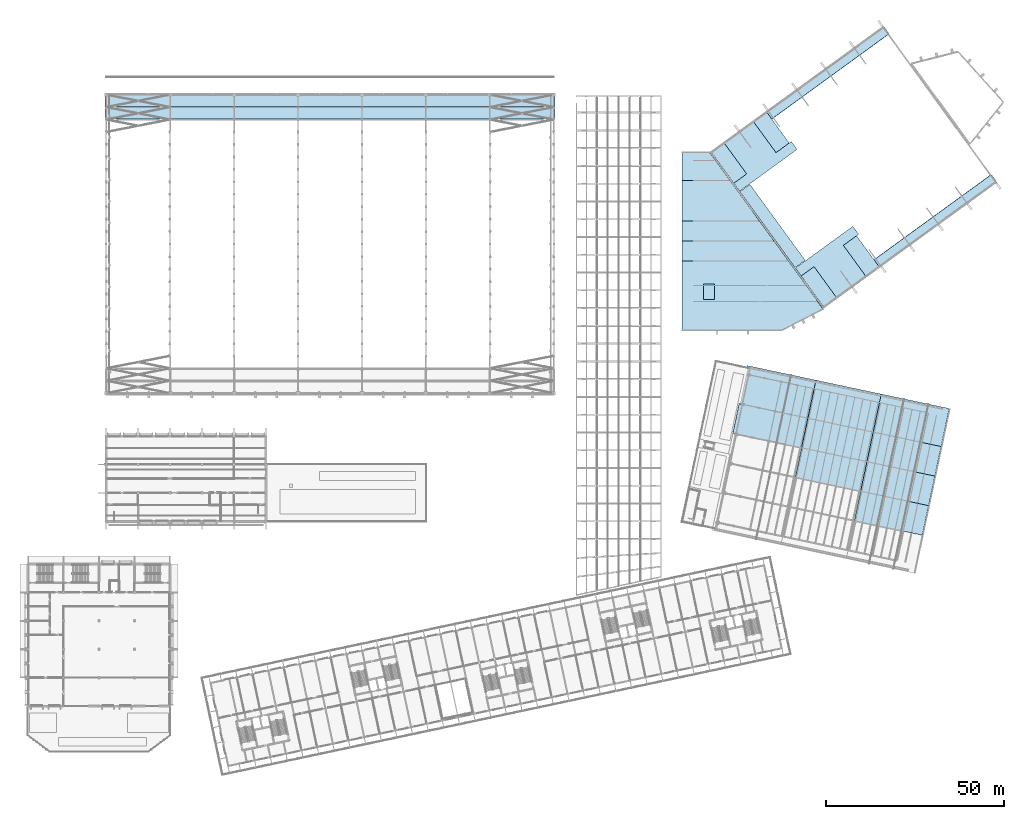
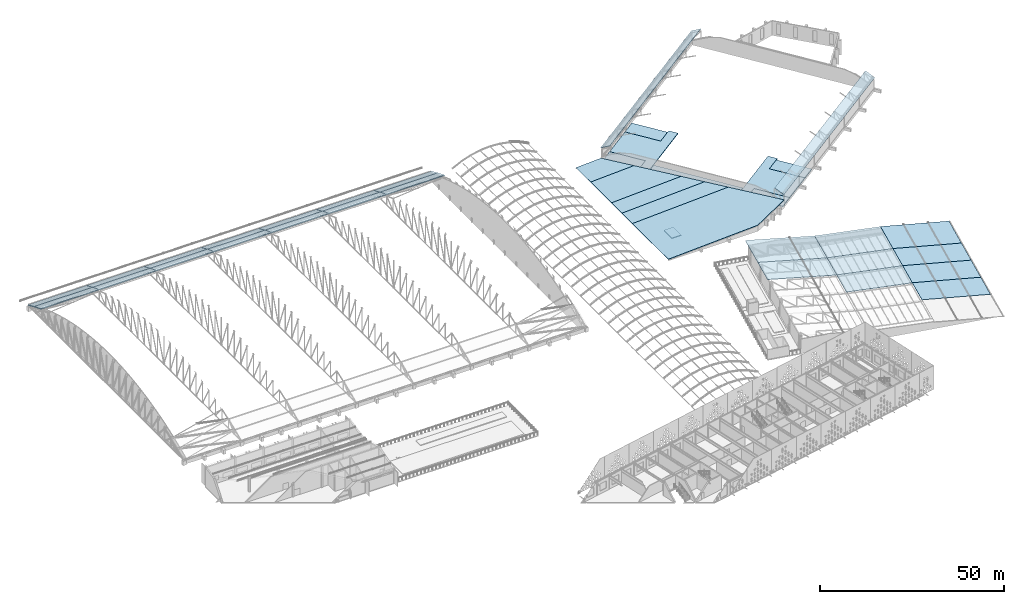
# One storey, part 112 of 196: 38 slabs.
"""IFC4 building model written with IfcOpenShell, lengths in metres."""

from ifc_helpers import new_model, si_unit, direction, frame, origin, place, context, subcontext, project, spatial, polyline, outline, extrude, material, layer, layer_set, type_object, element, save


model = new_model("IFC4")

# Units and contexts
model_context = context("Model", 3, precision=1e-05, world=origin(), true_north=direction((0.0, 1.0)))
body_context = subcontext(model_context, "Body", "Model", "MODEL_VIEW")
ifc_project = project(units=[si_unit("LENGTHUNIT", "METRE"), si_unit("AREAUNIT", "SQUARE_METRE"), si_unit("VOLUMEUNIT", "CUBIC_METRE"), si_unit("PLANEANGLEUNIT", "RADIAN"), si_unit("MASSUNIT", "GRAM", prefix="KILO")], contexts=[model_context])

# Site, building, storey
site_placement = place(None, origin())
site = spatial("IfcSite", under=ifc_project, at=site_placement, CompositionType="ELEMENT")
building_placement = place(site_placement, origin())
building = spatial("IfcBuilding", under=site, at=building_placement, Name="Okhra Congress Centre", CompositionType="ELEMENT")
storey_placement = place(building_placement, frame((0.0, 0.0, 12.0)))
storey = spatial("IfcBuildingStorey", under=building, at=storey_placement, Name="L02", CompositionType="ELEMENT", Elevation=12.0)

# Slabs
ifc_material_1 = material(Name="Insulated metal roof panel (mineral wool core), standing seam")
ifc_layer_1 = layer(ifc_material_1, 0.14990234375)
ifc_layer_set_1 = layer_set([ifc_layer_1], Name="Insulated roof panel 150")
slab_type_1 = type_object("IfcSlabType", Name="Insulated roof panel 150", PredefinedType="ROOF", material=ifc_layer_set_1)
slab_1_placement = place(storey_placement, frame((229.705322265625, 155.7431640625, 4.305419921875), z_axis=(0.278929088771, -0.383913800614, 0.880232217733), x_axis=(0.80901889151, 0.5877826411, -1.17529e-06)))
element("IfcSlab", 1, at=slab_1_placement, inside=storey, type_object=slab_type_1, Name="Roof panel 1", PredefinedType="ROOF", context=body_context, shape_type="SweptSolid", body=[
    extrude(outline(polyline([(0.0, 0.0), (60.60005430469059, -3.552713678800501e-15), (60.60003694373192, 3.131759608225437), (3.665179778162735e-05, 3.131459434986332), (0.0, 0.0)])), origin(), (0.0, 0.0, -1.0), 0.14990234375),
])
slab_2_placement = place(storey_placement, frame((199.31005859375, 197.578857421875, 5.79150390625), z_axis=(-0.278923918034, 0.383905727805, 0.880237377136), x_axis=(0.809017656357, 0.587784341151, 6.80711e-07)))
element("IfcSlab", 2, at=slab_2_placement, inside=storey, type_object=slab_type_1, Name="Roof panel 18", PredefinedType="ROOF", context=body_context, shape_type="SweptSolid", body=[
    extrude(outline(polyline([(0.0, 0.0), (60.59985679042765, 0.0), (60.59984595734329, 3.1317596089494506), (-0.00015433512078291415, 3.1315857496306627), (0.0, 0.0)])), origin(), (0.0, 0.0, -1.0), 0.14990234375),
])
slab_3_placement = place(storey_placement, frame((218.0, 149.72998046875, 1.91748046875), z_axis=(-0.052337920105, 2.981966e-06, 0.998629431827), x_axis=(0.888545201708, 0.456419688998, 0.046567070093)))
element("IfcSlab", 3, at=slab_3_placement, inside=storey, type_object=slab_type_1, Name="Foyer roof panel 1", PredefinedType="ROOF", context=body_context, shape_type="SweptSolid", body=[
    extrude(outline(polyline([(0.0, 0.0), (13.275242452035966, -1.3704315460216776e-16), (10.711081117052416, 16.410229964456086), (-16.051988906117842, 30.138795824171297), (-24.947604187455937, 12.797292195619383), (0.0, 0.0)])), origin(), (0.0, 0.0, -1.0), 0.14990234375),
])
slab_4_placement = place(storey_placement, frame((215.91796875, 174.889892578125, 1.808349609375), z_axis=(-0.052337917817, -7.78521e-06, 0.998629431921), x_axis=(-0.998629431951, -1.3e-11, -0.052337917819)))
element("IfcSlab", 4, at=slab_4_placement, inside=storey, type_object=slab_type_1, Name="Foyer roof panel 2", PredefinedType="ROOF", context=body_context, shape_type="SweptSolid", body=[
    extrude(outline(polyline([(0.0, 0.0), (25.953542155918345, 0.0), (25.95354215599342, 5.669921874828175), (-4.125278260200742, 5.6699218755700995), (0.0, 0.0)])), origin(), (0.0, 0.0, -1.0), 0.14990234375),
])
slab_5_placement = place(storey_placement, frame((211.8056640625, 180.550048828125, 1.5927734375), z_axis=(-0.052338691781, 4.244915e-06, 0.998629391378), x_axis=(-0.998629391387, -5e-12, -0.052338691782)))
element("IfcSlab", 5, at=slab_5_placement, inside=storey, type_object=slab_type_1, Name="Foyer roof panel 3", PredefinedType="ROOF", context=body_context, shape_type="SweptSolid", body=[
    extrude(outline(polyline([(0.0, 0.0), (21.835590853852228, 0.0), (21.835590853878667, 5.6601562499490035), (-4.1179513020660945, 5.660156250172222), (0.0, 0.0)])), origin(), (0.0, 0.0, -1.0), 0.14990234375),
])
slab_6_placement = place(storey_placement, frame((203.573974609375, 191.8798828125, 1.161376953125), z_axis=(-0.052338201172, -1.173841e-06, 0.9986294171), x_axis=(-0.9986294171, -1e-12, -0.052338201172)))
element("IfcSlab", 6, at=slab_6_placement, inside=storey, type_object=slab_type_1, Name="Foyer roof panel 4", PredefinedType="ROOF", context=body_context, shape_type="SweptSolid", body=[
    extrude(outline(polyline([(0.0, 0.0), (13.5926050975524, 0.0), (13.592605097565412, 11.329833984367195), (-8.242985756295983, 11.329833984407884), (0.0, 0.0)])), origin(), (0.0, 0.0, -1.0), 0.14990234375),
])
slab_7_placement = place(storey_placement, frame((197.8271484375, 199.7900390625, 0.860107421875), z_axis=(-0.052335802594, 5.80862e-06, 0.99862954279), x_axis=(-0.998629542807, -3.4e-11, -0.052335802595)))
element("IfcSlab", 7, at=slab_7_placement, inside=storey, type_object=slab_type_1, Name="Foyer roof panel 5", PredefinedType="ROOF", context=body_context, shape_type="SweptSolid", body=[
    extrude(outline(polyline([(0.0, 0.0), (7.8378875221555475, -4.235164736271502e-22), (7.837887522424897, 7.910156249866556), (-5.754717575056351, 7.910156250596288), (0.0, 0.0)])), origin(), (0.0, 0.0, -1.0), 0.14990234375),
])
slab_8_placement = place(storey_placement, frame((204.37109375, 120.80419921875, 6.267578125), z_axis=(0.136122677366, -0.028935312332, 0.990269339325), x_axis=(0.968628367939, -0.205894267118, -0.139164059989)))
element("IfcSlab", 8, at=slab_8_placement, inside=storey, type_object=slab_type_1, Name="Ballroom roof panel 1.4", PredefinedType="ROOF", context=body_context, shape_type="SweptSolid", body=[
    extrude(outline(polyline([(0.0, 0.0), (19.94680887056242, 1.767029312585086e-16), (19.946850737944985, 8.49997296739442), (4.186738256550804e-05, 8.49997296739442), (0.0, 0.0)])), origin(), (0.0, 0.0, -1.0), 0.14990234375),
])
slab_9_placement = place(storey_placement, frame((206.138427734375, 129.118408203125, 6.267578125), z_axis=(0.136123034877, -0.028933630422, 0.990269339325), x_axis=(0.968628367939, -0.205894267118, -0.139164059989)))
element("IfcSlab", 9, at=slab_9_placement, inside=storey, type_object=slab_type_1, Name="Ballroom roof panel 1.5", PredefinedType="ROOF", context=body_context, shape_type="SweptSolid", body=[
    extrude(outline(polyline([(0.0, 0.0), (19.94680887056242, 3.586981243714621e-16), (19.94672882619894, 10.949973121953299), (-8.004436348540978e-05, 10.9499731219533), (0.0, 0.0)])), origin(), (0.0, 0.0, -1.0), 0.14990234375),
])
slab_10_placement = place(storey_placement, frame((221.925048828125, 108.383056640625, 3.49169921875), z_axis=(0.051197188104, -0.010881375642, 0.998629282364), x_axis=(0.976807223732, -0.207624881121, -0.052340771918)))
element("IfcSlab", 10, at=slab_10_placement, inside=storey, type_object=slab_type_1, Name="Ballroom roof panel 2.3", PredefinedType="ROOF", context=body_context, shape_type="SweptSolid", body=[
    extrude(outline(polyline([(0.0, 0.0), (18.821033503560404, 7.145569943037278e-18), (18.820902975922873, 8.499922207568074), (-0.00013052763752829932, 8.499922207568074), (0.0, 0.0)])), origin(), (0.0, 0.0, -1.0), 0.14990234375),
])
slab_11_placement = place(storey_placement, frame((223.692138671875, 116.697265625, 3.49169921875), z_axis=(0.05119688237, -0.010882814021, 0.998629282364), x_axis=(0.976807223732, -0.207624881121, -0.052340771918)))
element("IfcSlab", 11, at=slab_11_placement, inside=storey, type_object=slab_type_1, Name="Ballroom roof panel 2.4", PredefinedType="ROOF", context=body_context, shape_type="SweptSolid", body=[
    extrude(outline(polyline([(0.0, 0.0), (18.821033503560404, 1.8595676620726184e-16), (18.82114145424898, 8.499972966812038), (0.00010795068857816226, 8.499972966812038), (0.0, 0.0)])), origin(), (0.0, 0.0, -1.0), 0.14990234375),
])
slab_12_placement = place(storey_placement, frame((225.45947265625, 125.011474609375, 3.49169921875), z_axis=(0.051197016828, -0.010882181439, 0.998629282364), x_axis=(0.976807223732, -0.207624881121, -0.052340771918)))
element("IfcSlab", 12, at=slab_12_placement, inside=storey, type_object=slab_type_1, Name="Ballroom roof panel 2.5", PredefinedType="ROOF", context=body_context, shape_type="SweptSolid", body=[
    extrude(outline(polyline([(0.0, 0.0), (18.821033503560404, 6.77482362202407e-17), (18.821037459039328, 10.949973122245147), (3.955478922623712e-06, 10.949973122245147), (0.0, 0.0)])), origin(), (0.0, 0.0, -1.0), 0.14990234375),
])
slab_13_placement = place(storey_placement, frame((238.542236328125, 96.1611328125, 2.506591796875), z_axis=(0.119203333247, -0.025338802801, 0.99254647771), x_axis=(0.970855993609, -0.206366543047, -0.121866687753)))
element("IfcSlab", 13, at=slab_13_placement, inside=storey, type_object=slab_type_1, Name="Ballroom roof panel 3.2", PredefinedType="ROOF", context=body_context, shape_type="SweptSolid", body=[
    extrude(outline(polyline([(0.0, 0.0), (19.698859547931885, -7.792110191676485e-17), (19.6989117730958, 8.499972967337092), (5.222516391456544e-05, 8.499972967337092), (0.0, 0.0)])), origin(), (0.0, 0.0, -1.0), 0.14990234375),
])
slab_14_placement = place(storey_placement, frame((240.3095703125, 104.475341796875, 2.506591796875), z_axis=(0.119204045119, -0.025335453783, 0.992546477707), x_axis=(0.970855993609, -0.206366543047, -0.121866687753)))
element("IfcSlab", 14, at=slab_14_placement, inside=storey, type_object=slab_type_1, Name="Ballroom roof panel 3.3", PredefinedType="ROOF", context=body_context, shape_type="SweptSolid", body=[
    extrude(outline(polyline([(0.0, 0.0), (19.698859547931885, -1.0954677106839866e-17), (19.698674747706736, 8.499922206561378), (-0.00018480022515010575, 8.499922206561378), (0.0, 0.0)])), origin(), (0.0, 0.0, -1.0), 0.14990234375),
])
slab_15_placement = place(storey_placement, frame((242.07666015625, 112.78955078125, 2.506591796875), z_axis=(0.119203333247, -0.025338802801, 0.99254647771), x_axis=(0.970855993609, -0.206366543047, -0.121866687753)))
element("IfcSlab", 15, at=slab_15_placement, inside=storey, type_object=slab_type_1, Name="Ballroom roof panel 3.4", PredefinedType="ROOF", context=body_context, shape_type="SweptSolid", body=[
    extrude(outline(polyline([(0.0, 0.0), (19.698859547931885, -7.792110191676485e-17), (19.6989117730958, 8.499972967337092), (5.222516391456544e-05, 8.499972967337092), (0.0, 0.0)])), origin(), (0.0, 0.0, -1.0), 0.14990234375),
])
slab_16_placement = place(storey_placement, frame((243.843994140625, 121.103759765625, 2.506591796875), z_axis=(0.119203857481, -0.025337086058, 0.992546458576), x_axis=(0.970855974893, -0.206366539069, -0.121866843592)))
element("IfcSlab", 16, at=slab_16_placement, inside=storey, type_object=slab_type_1, Name="Ballroom roof panel 3.5", PredefinedType="ROOF", context=body_context, shape_type="SweptSolid", body=[
    extrude(outline(polyline([(0.0, 0.0), (19.698859547931644, -5.16699415187543e-16), (19.698742156293402, 10.9502119273767), (-6.700918241220322e-05, 10.94997312204039), (0.0, 0.0)])), origin(), (0.0, 0.0, -1.0), 0.14990234375),
])
ifc_material_2 = material(Name="Insulated metal sandwich roof panel (mineral wool core)")
ifc_layer_2 = layer(ifc_material_2, 0.25)
ifc_layer_set_2 = layer_set([ifc_layer_2], Name="Insulated roof panel 250")
slab_type_2 = type_object("IfcSlabType", Name="Insulated roof panel 250", PredefinedType="ROOF", material=ifc_layer_set_2)
slab_17_placement = place(storey_placement, frame((27.75, 209.177734375, 4.84130859375), z_axis=(0.0, 0.37302210348, 0.927822456247), x_axis=(1.0, 0.0, 0.0)))
element("IfcSlab", 17, at=slab_17_placement, inside=storey, type_object=slab_type_2, Name="EH.SLAB.L02.RP1-23", PredefinedType="ROOF", context=body_context, shape_type="SweptSolid", body=[
    extrude(outline(polyline([(0.0, 0.0), (18.25, 0.0), (18.25, 3.791482133182613), (0.0, 3.791482133182613), (0.0, 0.0)])), origin(), (0.0, 0.0, -1.0), 0.25),
])
slab_18_placement = place(storey_placement, frame((27.75, 212.695556640625, 3.427001953125), z_axis=(0.0, 0.408547084695, 0.912737245645), x_axis=(1.0, 0.0, 0.0)))
element("IfcSlab", 18, at=slab_18_placement, inside=storey, type_object=slab_type_2, Name="EH.SLAB.L02.RP1-24", PredefinedType="ROOF", context=body_context, shape_type="SweptSolid", body=[
    extrude(outline(polyline([(0.0, 0.0), (18.25, 0.0), (18.25, 3.8442488013304907), (0.0, 3.8442488013304907), (0.0, 0.0)])), origin(), (0.0, 0.0, -1.0), 0.25),
])
slab_19_placement = place(storey_placement, frame((46.0, 209.177734375, 4.84130859375), z_axis=(0.0, 0.37302210348, 0.927822456247), x_axis=(1.0, 0.0, 0.0)))
element("IfcSlab", 19, at=slab_19_placement, inside=storey, type_object=slab_type_2, Name="EH.SLAB.L02.RP2-23", PredefinedType="ROOF", context=body_context, shape_type="SweptSolid", body=[
    extrude(outline(polyline([(0.0, 0.0), (18.0, 0.0), (18.0, 3.791482133182613), (0.0, 3.791482133182613), (0.0, 0.0)])), origin(), (0.0, 0.0, -1.0), 0.25),
])
slab_20_placement = place(storey_placement, frame((46.0, 212.695556640625, 3.427001953125), z_axis=(0.0, 0.408547084695, 0.912737245645), x_axis=(1.0, 0.0, 0.0)))
element("IfcSlab", 20, at=slab_20_placement, inside=storey, type_object=slab_type_2, Name="EH.SLAB.L02.RP2-24", PredefinedType="ROOF", context=body_context, shape_type="SweptSolid", body=[
    extrude(outline(polyline([(0.0, 0.0), (18.0, 0.0), (18.0, 3.8442488013304907), (0.0, 3.8442488013304907), (0.0, 0.0)])), origin(), (0.0, 0.0, -1.0), 0.25),
])
slab_21_placement = place(storey_placement, frame((64.0, 209.177734375, 4.84130859375), z_axis=(0.0, 0.37302210348, 0.927822456247), x_axis=(1.0, 0.0, 0.0)))
element("IfcSlab", 21, at=slab_21_placement, inside=storey, type_object=slab_type_2, Name="EH.SLAB.L02.RP3-23", PredefinedType="ROOF", context=body_context, shape_type="SweptSolid", body=[
    extrude(outline(polyline([(0.0, 0.0), (18.0, 0.0), (18.0, 3.791482133182613), (0.0, 3.791482133182613), (0.0, 0.0)])), origin(), (0.0, 0.0, -1.0), 0.25),
])
slab_22_placement = place(storey_placement, frame((64.0, 212.695556640625, 3.427001953125), z_axis=(0.0, 0.408547084695, 0.912737245645), x_axis=(1.0, 0.0, 0.0)))
element("IfcSlab", 22, at=slab_22_placement, inside=storey, type_object=slab_type_2, Name="EH.SLAB.L02.RP3-24", PredefinedType="ROOF", context=body_context, shape_type="SweptSolid", body=[
    extrude(outline(polyline([(0.0, 0.0), (18.0, 0.0), (18.0, 3.8442488013304907), (0.0, 3.8442488013304907), (0.0, 0.0)])), origin(), (0.0, 0.0, -1.0), 0.25),
])
slab_23_placement = place(storey_placement, frame((82.0, 209.177734375, 4.84130859375), z_axis=(0.0, 0.37302210348, 0.927822456247), x_axis=(1.0, 0.0, 0.0)))
element("IfcSlab", 23, at=slab_23_placement, inside=storey, type_object=slab_type_2, Name="EH.SLAB.L02.RP4-23", PredefinedType="ROOF", context=body_context, shape_type="SweptSolid", body=[
    extrude(outline(polyline([(0.0, 0.0), (18.0, 0.0), (18.0, 3.791482133182613), (0.0, 3.791482133182613), (0.0, 0.0)])), origin(), (0.0, 0.0, -1.0), 0.25),
])
slab_24_placement = place(storey_placement, frame((82.0, 212.695556640625, 3.427001953125), z_axis=(0.0, 0.408547084695, 0.912737245645), x_axis=(1.0, 0.0, 0.0)))
element("IfcSlab", 24, at=slab_24_placement, inside=storey, type_object=slab_type_2, Name="EH.SLAB.L02.RP4-24", PredefinedType="ROOF", context=body_context, shape_type="SweptSolid", body=[
    extrude(outline(polyline([(0.0, 0.0), (18.0, 0.0), (18.0, 3.8442488013304907), (0.0, 3.8442488013304907), (0.0, 0.0)])), origin(), (0.0, 0.0, -1.0), 0.25),
])
slab_25_placement = place(storey_placement, frame((100.0, 209.177734375, 4.84130859375), z_axis=(0.0, 0.37302210348, 0.927822456247), x_axis=(1.0, 0.0, 0.0)))
element("IfcSlab", 25, at=slab_25_placement, inside=storey, type_object=slab_type_2, Name="EH.SLAB.L02.RP5-23", PredefinedType="ROOF", context=body_context, shape_type="SweptSolid", body=[
    extrude(outline(polyline([(0.0, 0.0), (18.0, 0.0), (18.0, 3.791482133182613), (0.0, 3.791482133182613), (0.0, 0.0)])), origin(), (0.0, 0.0, -1.0), 0.25),
])
slab_26_placement = place(storey_placement, frame((100.0, 212.695556640625, 3.427001953125), z_axis=(0.0, 0.408547084695, 0.912737245645), x_axis=(1.0, 0.0, 0.0)))
element("IfcSlab", 26, at=slab_26_placement, inside=storey, type_object=slab_type_2, Name="EH.SLAB.L02.RP5-24", PredefinedType="ROOF", context=body_context, shape_type="SweptSolid", body=[
    extrude(outline(polyline([(0.0, 0.0), (18.0, 0.0), (18.0, 3.8442488013304907), (0.0, 3.8442488013304907), (0.0, 0.0)])), origin(), (0.0, 0.0, -1.0), 0.25),
])
slab_27_placement = place(storey_placement, frame((118.0, 209.177734375, 4.84130859375), z_axis=(0.0, 0.37302210348, 0.927822456247), x_axis=(1.0, 0.0, 0.0)))
element("IfcSlab", 27, at=slab_27_placement, inside=storey, type_object=slab_type_2, Name="EH.SLAB.L02.RP6-23", PredefinedType="ROOF", context=body_context, shape_type="SweptSolid", body=[
    extrude(outline(polyline([(0.0, 0.0), (18.0, 0.0), (18.0, 3.791482133182613), (0.0, 3.791482133182613), (0.0, 0.0)])), origin(), (0.0, 0.0, -1.0), 0.25),
])
slab_28_placement = place(storey_placement, frame((118.0, 212.695556640625, 3.427001953125), z_axis=(0.0, 0.408547084695, 0.912737245645), x_axis=(1.0, 0.0, 0.0)))
element("IfcSlab", 28, at=slab_28_placement, inside=storey, type_object=slab_type_2, Name="EH.SLAB.L02.RP6-24", PredefinedType="ROOF", context=body_context, shape_type="SweptSolid", body=[
    extrude(outline(polyline([(0.0, 0.0), (18.0, 0.0), (18.0, 3.8442488013304907), (0.0, 3.8442488013304907), (0.0, 0.0)])), origin(), (0.0, 0.0, -1.0), 0.25),
])
slab_29_placement = place(storey_placement, frame((136.0, 209.177734375, 4.84130859375), z_axis=(0.0, 0.37302210348, 0.927822456247), x_axis=(1.0, 0.0, 0.0)))
element("IfcSlab", 29, at=slab_29_placement, inside=storey, type_object=slab_type_2, Name="EH.SLAB.L02.RP7-23", PredefinedType="ROOF", context=body_context, shape_type="SweptSolid", body=[
    extrude(outline(polyline([(0.0, 0.0), (18.25, 0.0), (18.25, 3.791482133182613), (0.0, 3.791482133182613), (0.0, 0.0)])), origin(), (0.0, 0.0, -1.0), 0.25),
])
slab_30_placement = place(storey_placement, frame((136.0, 212.695556640625, 3.427001953125), z_axis=(0.0, 0.408547084695, 0.912737245645), x_axis=(1.0, 0.0, 0.0)))
element("IfcSlab", 30, at=slab_30_placement, inside=storey, type_object=slab_type_2, Name="EH.SLAB.L02.RP7-24", PredefinedType="ROOF", context=body_context, shape_type="SweptSolid", body=[
    extrude(outline(polyline([(0.0, 0.0), (18.25, 0.0), (18.25, 3.8442488013304907), (0.0, 3.8442488013304907), (0.0, 0.0)])), origin(), (0.0, 0.0, -1.0), 0.25),
])
ifc_material_3 = material(Name="Concrete C30/37", Category="concrete")
ifc_layer_3 = layer(ifc_material_3, 0.25)
ifc_layer_set_3 = layer_set([ifc_layer_3], Name="RC roof slab 250 C30/37")
slab_type_3 = type_object("IfcSlabType", Name="RC roof slab 250 C30/37", PredefinedType="ROOF", material=ifc_layer_set_3)
slab_31_placement = place(storey_placement, frame((0.0, 0.0, -0.25)))
element("IfcSlab", 31, at=slab_31_placement, inside=storey, type_object=slab_type_3, Name="Escape stair roof slab S1", PredefinedType="ROOF", context=body_context, shape_type="SweptSolid", body=[
    extrude(outline(polyline([(233.44580078125, 159.05908203125), (227.200439453125, 167.65478515625), (223.580078125, 165.0244140625), (229.825439453125, 156.4287109375), (233.44580078125, 159.05908203125)])), origin(), (0.0, 0.0, 1.0), 0.25),
])
slab_32_placement = place(storey_placement, frame((0.0, 0.0, -0.25)))
element("IfcSlab", 32, at=slab_32_placement, inside=storey, type_object=slab_type_3, Name="Escape stair roof slab S2", PredefinedType="ROOF", context=body_context, shape_type="SweptSolid", body=[
    extrude(outline(polyline([(245.419189453125, 167.75830078125), (239.173828125, 176.35400390625), (235.452392578125, 173.650146484375), (241.69775390625, 165.054443359375), (245.419189453125, 167.75830078125)])), origin(), (0.0, 0.0, 1.0), 0.25),
])
slab_33_placement = place(storey_placement, frame((0.0, 0.0, -0.25)))
element("IfcSlab", 33, at=slab_33_placement, inside=storey, type_object=slab_type_3, Name="Lounge roof slab S", PredefinedType="ROOF", context=body_context, shape_type="SweptSolid", body=[
    extrude(outline(polyline([(227.200439453125, 167.65478515625), (233.44580078125, 159.05908203125), (241.69775390625, 165.054443359375), (235.452392578125, 173.650146484375), (239.173828125, 176.35400390625), (239.75634765625, 176.77734375), (238.125244140625, 179.022216796875), (221.948974609375, 167.26953125), (223.580078125, 165.0244140625), (227.200439453125, 167.65478515625)])), origin(), (0.0, 0.0, 1.0), 0.25),
])
slab_34_placement = place(storey_placement, frame((0.0, 0.0, -0.25)))
element("IfcSlab", 34, at=slab_34_placement, inside=storey, type_object=slab_type_3, Name="Escape stair roof slab N1", PredefinedType="ROOF", context=body_context, shape_type="SweptSolid", body=[
    extrude(outline(polyline([(208.244384765625, 193.74560546875), (201.999267578125, 202.341552734375), (198.37890625, 199.711181640625), (204.6240234375, 191.115234375), (208.244384765625, 193.74560546875)])), origin(), (0.0, 0.0, 1.0), 0.25),
])
slab_35_placement = place(storey_placement, frame((0.0, 0.0, -0.25)))
element("IfcSlab", 35, at=slab_35_placement, inside=storey, type_object=slab_type_3, Name="Escape stair roof slab N2", PredefinedType="ROOF", context=body_context, shape_type="SweptSolid", body=[
    extrude(outline(polyline([(220.2177734375, 202.44482421875), (213.97265625, 211.040771484375), (210.251220703125, 208.3369140625), (216.496337890625, 199.740966796875), (220.2177734375, 202.44482421875)])), origin(), (0.0, 0.0, 1.0), 0.25),
])
slab_36_placement = place(storey_placement, frame((0.0, 0.0, -0.25)))
element("IfcSlab", 36, at=slab_36_placement, inside=storey, type_object=slab_type_3, Name="Lounge roof slab N", PredefinedType="ROOF", context=body_context, shape_type="SweptSolid", body=[
    extrude(outline(polyline([(222.431396484375, 200.623046875), (220.80029296875, 202.8681640625), (220.2177734375, 202.44482421875), (216.496337890625, 199.740966796875), (210.251220703125, 208.3369140625), (201.999267578125, 202.341552734375), (208.244384765625, 193.74560546875), (204.6240234375, 191.115234375), (206.255126953125, 188.870361328125), (222.431396484375, 200.623046875)])), origin(), (0.0, 0.0, 1.0), 0.25),
])
slab_37_placement = place(storey_placement, frame((0.0, 0.0, -0.25)))
element("IfcSlab", 37, at=slab_37_placement, inside=storey, type_object=slab_type_3, Name="Lift shaft roof slab", PredefinedType="ROOF", context=body_context, shape_type="SweptSolid", body=[
    extrude(outline(polyline([(196.14990234375, 158.449951171875), (199.14990234375, 158.449951171875), (199.14990234375, 162.800048828125), (196.14990234375, 162.800048828125), (196.14990234375, 158.449951171875)])), origin(), (0.0, 0.0, 1.0), 0.25),
])
slab_38_placement = place(storey_placement, frame((0.0, 0.0, -0.25)))
element("IfcSlab", 38, at=slab_38_placement, inside=storey, type_object=slab_type_3, Name="Booth roof slab", PredefinedType="ROOF", context=body_context, shape_type="SweptSolid", body=[
    extrude(outline(polyline([(221.87548828125, 167.37060546875), (224.70703125, 169.427978515625), (209.16015625, 190.826416015625), (206.32861328125, 188.76904296875), (221.87548828125, 167.37060546875)])), origin(), (0.0, 0.0, 1.0), 0.25),
])

save(model, "model.ifc")
